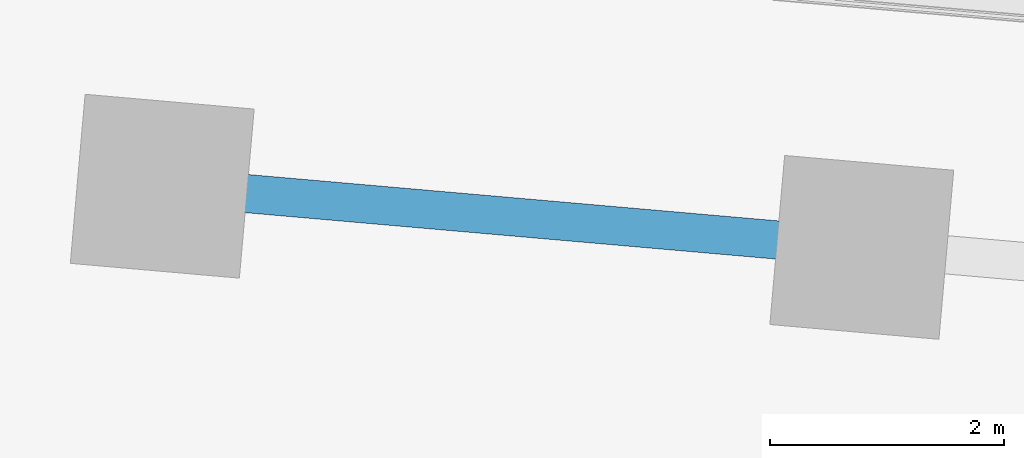
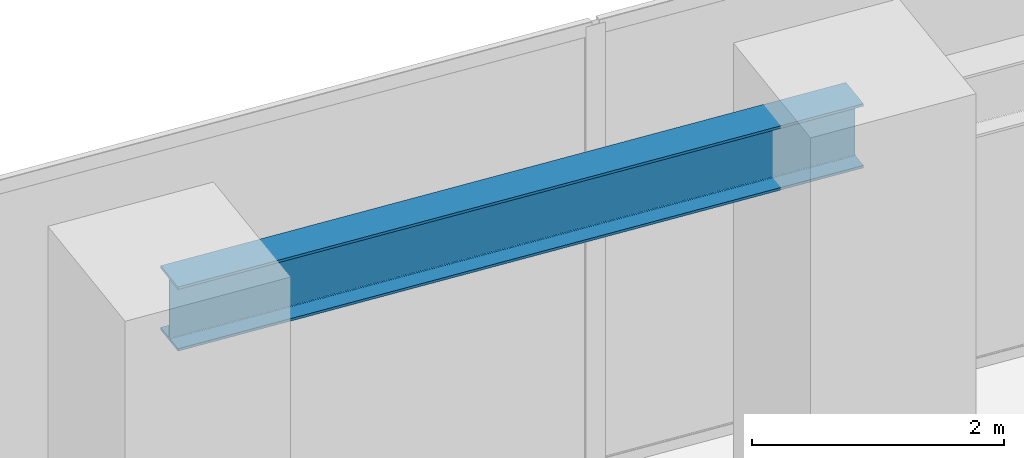
# One storey, part 11 of 24: 1 beam.
"""IFC4 building model written with IfcOpenShell, lengths in metres."""

from ifc_helpers import new_model, si_unit, direction, frame, origin, origin_2d, place, context, subcontext, project, spatial, i_section, extrude, source, transform, mapped, material, material_profile, profile_set, type_object, element, save


model = new_model("IFC4")

# Units and contexts
model_context = context("Model", 3, precision=1e-05, world=origin(), true_north=direction((0.0, 1.0)))
body_context = subcontext(model_context, "Body", "Model", "MODEL_VIEW")
ifc_project = project(units=[si_unit("LENGTHUNIT", "METRE"), si_unit("AREAUNIT", "SQUARE_METRE"), si_unit("VOLUMEUNIT", "CUBIC_METRE"), si_unit("PLANEANGLEUNIT", "RADIAN"), si_unit("MASSUNIT", "GRAM", prefix="KILO")], contexts=[model_context])

# Site, building, storey
site_placement = place(None, origin())
site = spatial("IfcSite", under=ifc_project, at=site_placement, CompositionType="ELEMENT")
building_placement = place(site_placement, origin())
building = spatial("IfcBuilding", under=site, at=building_placement, Name="Torre Montelarca", CompositionType="ELEMENT")
storey_placement = place(building_placement, frame((0.0, 0.0, 47.199951171875)))
storey = spatial("IfcBuildingStorey", under=building, at=storey_placement, Name="L10", CompositionType="ELEMENT", Elevation=47.199951171875)

# Beam
ifc_material = material(Name="Steel ASTM A992 Grade 50", Category="steel")
ifc_material_profile = material_profile(ifc_material, i_section(OverallWidth=0.326904296875, OverallDepth=0.6220703125, WebThickness=0.015380859375, FlangeThickness=0.0244140625, FilletRadius=0.014892578125, at=origin_2d()), Name="W610X195", Category="steel")
ifc_profile_set = profile_set([ifc_material_profile], Name="Steel ASTM A992 Grade 50")
beam_type = type_object("IfcBeamType", Name="BM-G-W610H", PredefinedType="BEAM", material=ifc_profile_set)
shared_shape = source(origin(), body_context, "Body", "SweptSolid", [
    extrude(i_section(OverallWidth=0.326904296875, OverallDepth=0.6220703125, WebThickness=0.015380859375, FlangeThickness=0.0244140625, FilletRadius=0.014892578125, at=origin_2d()), origin(), (0.0, 0.0, 1.0), 6.0),
])
beam_placement = place(storey_placement, frame((43.14208984375, 44.159912109375, 4.2490234375), z_axis=(0.996198176944, -0.087115970136, 0.0), x_axis=(0.087115970136, 0.996198176944, 0.0)))
element("IfcBeam", 1, at=beam_placement, inside=storey, type_object=beam_type, Name="L10 Grid Girder X 42.0-48.0 at Y=46.0", PredefinedType="BEAM", context=body_context, shape_type="MappedRepresentation", body=[
    mapped(shared_shape, transform((0.0, 0.0, 0.0), scale=1.0)),
])

save(model, "model.ifc")
